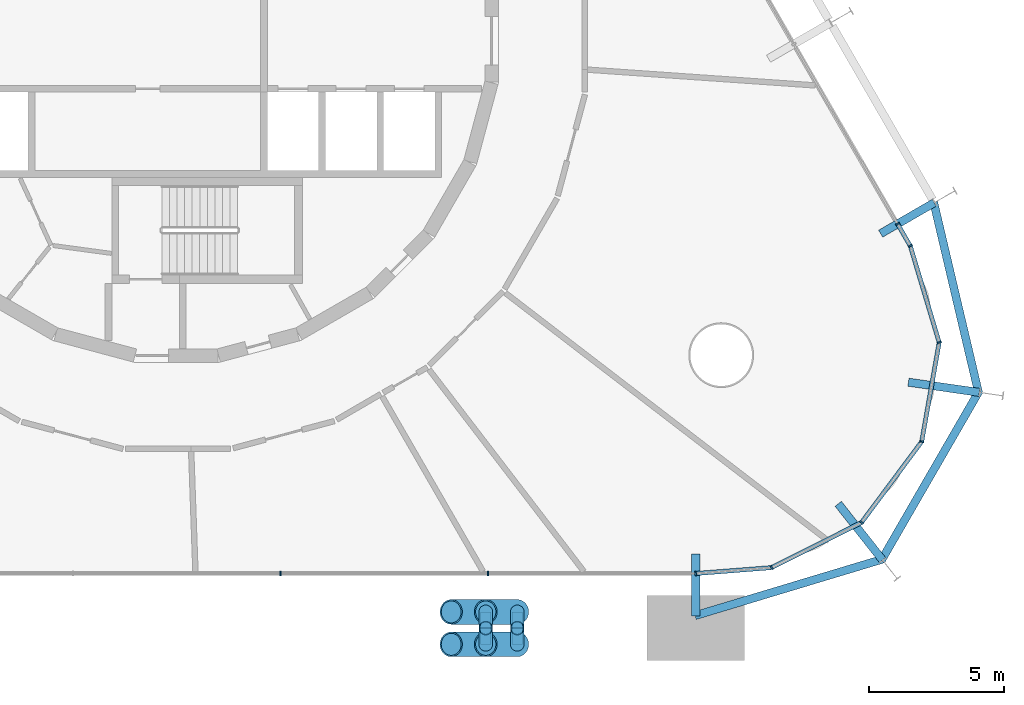
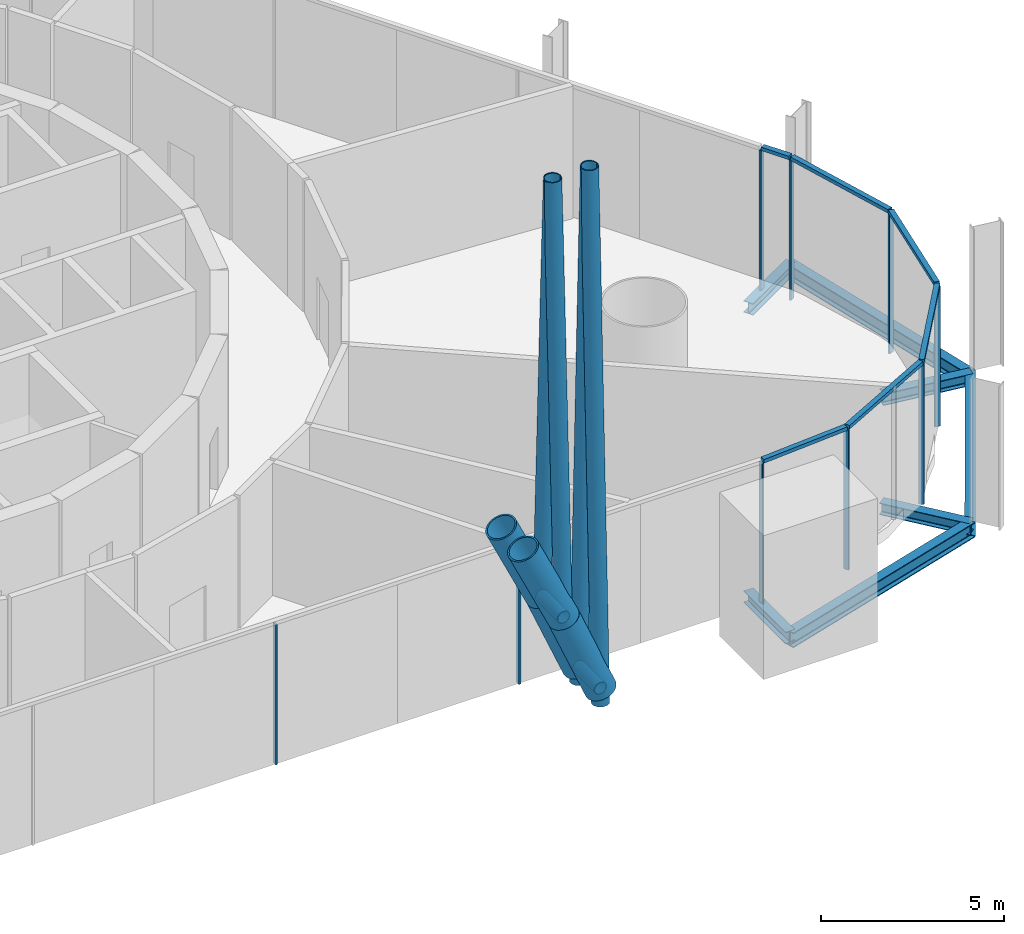
# One storey, part 6 of 17: 25 members, 7 beams, 3 elements without a shape of their own.
"""IFC4 building model written with IfcOpenShell, lengths in metres."""

from ifc_helpers import new_model, si_unit, direction, frame, origin, origin_2d, place, context, subcontext, project, spatial, rectangle, hollow_circle, i_section, extrude, material, layer, layer_set, material_profile, profile_set, type_object, element, aggregate, save


model = new_model("IFC4")

# Units and contexts
model_context = context("Model", 3, precision=1e-05, world=origin(), true_north=direction((0.0, 1.0)))
body_context = subcontext(model_context, "Body", "Model", "MODEL_VIEW")
ifc_project = project(units=[si_unit("LENGTHUNIT", "METRE"), si_unit("AREAUNIT", "SQUARE_METRE"), si_unit("VOLUMEUNIT", "CUBIC_METRE"), si_unit("PLANEANGLEUNIT", "RADIAN"), si_unit("MASSUNIT", "GRAM", prefix="KILO")], contexts=[model_context])

# Site, building, storey
site_placement = place(None, origin())
site = spatial("IfcSite", under=ifc_project, at=site_placement, CompositionType="ELEMENT")
building_placement = place(site_placement, origin())
building = spatial("IfcBuilding", under=site, at=building_placement, Name="Spindle Arch Residences", CompositionType="ELEMENT")
storey_placement = place(building_placement, frame((0.0, 0.0, 13.800048828125)))
storey = spatial("IfcBuildingStorey", under=building, at=storey_placement, Name="L02", CompositionType="ELEMENT", Elevation=13.800048828125)

# Members
ifc_material_1 = material(Name="Steel S355J2, intumescent coating R 240", Category="steel")
ifc_material_profile_1 = material_profile(ifc_material_1, hollow_circle(Radius=0.25390625, WallThickness=0.02490234375, at=origin_2d()), Name="CHS 508x25")
ifc_profile_set_1 = profile_set([ifc_material_profile_1], Name="Steel S355J2, intumescent coating R 240")
member_type_1 = type_object("IfcMemberType", Name="Arch hanger CHS 508x25", PredefinedType="BRACE", material=ifc_profile_set_1)
member_1_placement = place(storey_placement, frame((11.431884765625, -21.72998046875, 17.741943359375), z_axis=(0.0, -0.040575443037, -0.999176477617), x_axis=(1.0, 0.0, 0.0)))
element("IfcMember", 1, at=member_1_placement, inside=storey, type_object=member_type_1, Name="Arch hanger 1.18", PredefinedType="BRACE", context=body_context, shape_type="SweptSolid", body=[
    extrude(hollow_circle(Radius=0.25390625, WallThickness=0.02490234375, at=origin_2d()), origin(), (0.0, 0.0, 1.0), 14.78369140625),
])
member_2_placement = place(storey_placement, frame((12.59765625, -21.72998046875, 17.741943359375), z_axis=(0.0, -0.034164866701, -0.999416210537), x_axis=(1.0, 0.0, 0.0)))
element("IfcMember", 2, at=member_2_placement, inside=storey, type_object=member_type_1, Name="Arch hanger 1.19", PredefinedType="BRACE", context=body_context, shape_type="SweptSolid", body=[
    extrude(hollow_circle(Radius=0.25390625, WallThickness=0.02490234375, at=origin_2d()), origin(), (0.0, 0.0, 1.0), 17.5576171875),
])
member_3_placement = place(storey_placement, frame((11.431884765625, -21.72998046875, 17.741943359375), z_axis=(0.0, 0.040591930054, -0.999175807961), x_axis=(-1.0, 0.0, 0.0)))
element("IfcMember", 3, at=member_3_placement, inside=storey, type_object=member_type_1, Name="Arch hanger 2.18", PredefinedType="BRACE", context=body_context, shape_type="SweptSolid", body=[
    extrude(hollow_circle(Radius=0.25390625, WallThickness=0.02490234375, at=origin_2d()), origin(), (0.0, 0.0, 1.0), 14.78369140625),
])
member_4_placement = place(storey_placement, frame((12.59765625, -21.72998046875, 17.741943359375), z_axis=(0.0, 0.034178755575, -0.999415735651), x_axis=(-1.0, 0.0, 0.0)))
element("IfcMember", 4, at=member_4_placement, inside=storey, type_object=member_type_1, Name="Arch hanger 2.19", PredefinedType="BRACE", context=body_context, shape_type="SweptSolid", body=[
    extrude(hollow_circle(Radius=0.25390625, WallThickness=0.02490234375, at=origin_2d()), origin(), (0.0, 0.0, 1.0), 17.5576171875),
])
ifc_material_2 = material(Name="Steel S355J2, intumescent coating R 240", Category="steel")
ifc_material_profile_2 = material_profile(ifc_material_2, hollow_circle(Radius=0.45703125, WallThickness=0.050048828125, at=origin_2d()), Name="CHS 914x50")
ifc_profile_set_2 = profile_set([ifc_material_profile_2], Name="Steel S355J2, intumescent coating R 240")
member_type_2 = type_object("IfcMemberType", Name="Arch rib CHS 914x50", PredefinedType="MEMBER", material=ifc_profile_set_2)
member_5_placement = place(storey_placement, frame((10.153076171875, -22.329833984375, 6.162841796875), z_axis=(0.423544923401, 0.0, -0.905875100586), x_axis=(0.0, 1.0, 0.0)))
element("IfcMember", 5, at=member_5_placement, inside=storey, type_object=member_type_2, Name="Arch rib 1.18", PredefinedType="MEMBER", context=body_context, shape_type="SweptSolid", body=[
    extrude(hollow_circle(Radius=0.45703125, WallThickness=0.050048828125, at=origin_2d()), origin(), (0.0, 0.0, 1.0), 3.019287109375),
])
member_6_placement = place(storey_placement, frame((11.431884765625, -22.329833984375, 3.427734375), z_axis=(0.387204911916, 0.0, -0.921993685547), x_axis=(0.0, 1.0, 0.0)))
element("IfcMember", 6, at=member_6_placement, inside=storey, type_object=member_type_2, Name="Arch rib 1.19", PredefinedType="MEMBER", context=body_context, shape_type="SweptSolid", body=[
    extrude(hollow_circle(Radius=0.45703125, WallThickness=0.050048828125, at=origin_2d()), origin(), (0.0, 0.0, 1.0), 3.0107421875),
])
member_7_placement = place(storey_placement, frame((10.153076171875, -21.1298828125, 6.162841796875), z_axis=(0.423544923401, 0.0, -0.905875100586), x_axis=(0.0, 1.0, 0.0)))
element("IfcMember", 7, at=member_7_placement, inside=storey, type_object=member_type_2, Name="Arch rib 2.18", PredefinedType="MEMBER", context=body_context, shape_type="SweptSolid", body=[
    extrude(hollow_circle(Radius=0.45703125, WallThickness=0.050048828125, at=origin_2d()), origin(), (0.0, 0.0, 1.0), 3.019287109375),
])
member_8_placement = place(storey_placement, frame((11.431884765625, -21.1298828125, 3.427734375), z_axis=(0.387204911916, 0.0, -0.921993685547), x_axis=(0.0, 1.0, 0.0)))
element("IfcMember", 8, at=member_8_placement, inside=storey, type_object=member_type_2, Name="Arch rib 2.19", PredefinedType="MEMBER", context=body_context, shape_type="SweptSolid", body=[
    extrude(hollow_circle(Radius=0.45703125, WallThickness=0.050048828125, at=origin_2d()), origin(), (0.0, 0.0, 1.0), 3.0107421875),
])
ifc_material_3 = material(Name="Steel S355J2, intumescent coating R 240", Category="steel")
ifc_material_profile_3 = material_profile(ifc_material_3, hollow_circle(Radius=0.203125, WallThickness=0.02001953125, at=origin_2d()), Name="CHS 406.4x20")
ifc_profile_set_3 = profile_set([ifc_material_profile_3], Name="Steel S355J2, intumescent coating R 240")
member_type_3 = type_object("IfcMemberType", Name="Arch tie CHS 406.4x20", PredefinedType="MEMBER", material=ifc_profile_set_3)
for number, where, z_axis, x_axis, name in (
    (9, (11.431884765625, -22.329833984375, 3.427734375), (0.0, 1.0, 0.0), (-1.0, 0.0, 0.0), "Arch tie 18"),
    (10, (12.59765625, -22.329833984375, 0.65185546875), (0.0, 1.0, 0.0), (-1.0, 0.0, 0.0), "Arch tie 19"),
):
    element("IfcMember", number, at=place(storey_placement, frame(where, z_axis=z_axis, x_axis=x_axis)), inside=storey, type_object=member_type_3, Name=name, PredefinedType="MEMBER", context=body_context, shape_type="SweptSolid", body=[
        extrude(hollow_circle(Radius=0.203125, WallThickness=0.02001953125, at=origin_2d()), origin(), (0.0, 0.0, 1.0), 1.199951171875),
    ])

# Curtain wall, members
ifc_material_4 = material(Name="Aluminium bronze unitised frame with tinted glass", Category="aluminium")
ifc_layer_1 = layer(ifc_material_4, 0.159912109375)
ifc_layer_set_1 = layer_set([ifc_layer_1], Name="CW-D corner wall on the fillet arcs")
curtain_wall_type_1 = type_object("IfcCurtainWallType", Name="CW-D corner wall on the fillet arcs", PredefinedType="NOTDEFINED", material=ifc_layer_set_1)
curtain_wall_1_placement = place(storey_placement, origin())
curtain_wall_1 = element("IfcCurtainWall", 11, at=curtain_wall_1_placement, inside=storey, type_object=curtain_wall_type_1, Name="CW-D L02 run 1", PredefinedType="NOTDEFINED")
ifc_material_5 = material(Name="Aluminium bronze anodised mullion", Category="aluminium")
ifc_material_profile_4 = material_profile(ifc_material_5, rectangle(XDim=0.159912109375, YDim=0.06005859375, at=origin_2d()), Name="MU 60x160")
ifc_profile_set_4 = profile_set([ifc_material_profile_4], Name="Aluminium bronze anodised mullion")
member_type_4 = type_object("IfcMemberType", Name="Bronze mullion 60x160", PredefinedType="MULLION", material=ifc_profile_set_4)
member_9_placement = place(storey_placement, frame((19.2001953125, -19.7099609375, -0.380126953125), z_axis=(0.0, 0.0, 1.0), x_axis=(-0.077364085451, 0.997002907861, 0.0)))
member_9 = element("IfcMember", 12, at=member_9_placement, type_object=member_type_4, Name="CW-D mullion 00", PredefinedType="MULLION", context=body_context, shape_type="SweptSolid", body=[
    extrude(rectangle(XDim=0.159912109375, YDim=0.06005859375, at=origin_2d()), origin(), (0.0, 0.0, 1.0), 4.68017578125),
])
member_10_placement = place(storey_placement, frame((22.007080078125, -19.4921875, -0.380126953125), z_axis=(0.0, 0.0, 1.0), x_axis=(-0.448799176213, 0.893632642326, 0.0)))
member_10 = element("IfcMember", 13, at=member_10_placement, type_object=member_type_4, Name="CW-D mullion 01", PredefinedType="MULLION", context=body_context, shape_type="SweptSolid", body=[
    extrude(rectangle(XDim=0.159912109375, YDim=0.06005859375, at=origin_2d()), origin(), (0.0, 0.0, 1.0), 4.68017578125),
])
member_11_placement = place(storey_placement, frame((25.33740234375, -17.819580078125, -0.380126953125), z_axis=(0.0, 0.0, 1.0), x_axis=(-0.802123189687, 0.597158595823, 0.0)))
member_11 = element("IfcMember", 14, at=member_11_placement, type_object=member_type_4, Name="CW-D mullion 02", PredefinedType="MULLION", context=body_context, shape_type="SweptSolid", body=[
    extrude(rectangle(XDim=0.159912109375, YDim=0.06005859375, at=origin_2d()), origin(), (0.0, 0.0, 1.0), 4.68017578125),
])
member_12_placement = place(storey_placement, frame((27.562744140625, -14.830322265625, -0.380126953125), z_axis=(0.0, 0.0, 1.0), x_axis=(-0.984807752421, 0.173648181019, 0.0)))
member_12 = element("IfcMember", 15, at=member_12_placement, type_object=member_type_4, Name="CW-D mullion 03", PredefinedType="MULLION", context=body_context, shape_type="SweptSolid", body=[
    extrude(rectangle(XDim=0.159912109375, YDim=0.06005859375, at=origin_2d()), origin(), (0.0, 0.0, 1.0), 4.68017578125),
])
member_13_placement = place(storey_placement, frame((28.2099609375, -11.16015625, -0.380126953125), z_axis=(0.0, 0.0, 1.0), x_axis=(-0.957989512975, -0.28680323051, 0.0)))
member_13 = element("IfcMember", 16, at=member_13_placement, type_object=member_type_4, Name="CW-D mullion 04", PredefinedType="MULLION", context=body_context, shape_type="SweptSolid", body=[
    extrude(rectangle(XDim=0.159912109375, YDim=0.06005859375, at=origin_2d()), origin(), (0.0, 0.0, 1.0), 4.68017578125),
])
member_14_placement = place(storey_placement, frame((27.14111328125, -7.58984375, -0.380126953125), z_axis=(0.0, 0.0, 1.0), x_axis=(-0.866025403784, -0.5, 0.0)))
member_14 = element("IfcMember", 17, at=member_14_placement, type_object=member_type_4, Name="CW-D mullion 05", PredefinedType="MULLION", context=body_context, shape_type="SweptSolid", body=[
    extrude(rectangle(XDim=0.159912109375, YDim=0.06005859375, at=origin_2d()), origin(), (0.0, 0.0, 1.0), 4.68017578125),
])

# Curtain wall, member
ifc_material_6 = material(Name="Aluminium bronze unitised frame with tinted glass", Category="aluminium")
ifc_layer_2 = layer(ifc_material_6, 0.159912109375)
ifc_layer_set_2 = layer_set([ifc_layer_2], Name="CW-B amenity podium glazed wall")
curtain_wall_type_2 = type_object("IfcCurtainWallType", Name="CW-B amenity podium glazed wall", PredefinedType="NOTDEFINED", material=ifc_layer_set_2)
curtain_wall_2_placement = place(storey_placement, origin())
curtain_wall_2 = element("IfcCurtainWall", 18, at=curtain_wall_2_placement, inside=storey, type_object=curtain_wall_type_2, Name="CW-B L02 run 2", PredefinedType="NOTDEFINED")
member_15_placement = place(storey_placement, frame((26.66943359375, -6.77294921875, -0.380126953125), z_axis=(0.0, 0.0, 1.0), x_axis=(-0.866025403784, -0.5, 0.0)))
member_15 = element("IfcMember", 19, at=member_15_placement, type_object=member_type_4, Name="CW-B mullion 05", PredefinedType="MULLION", context=body_context, shape_type="SweptSolid", body=[
    extrude(rectangle(XDim=0.159912109375, YDim=0.06005859375, at=origin_2d()), origin(), (0.0, 0.0, 1.0), 4.68017578125),
])
aggregate(curtain_wall_2, [member_15])

# Curtain wall, members
curtain_wall_3_placement = place(storey_placement, origin())
curtain_wall_3 = element("IfcCurtainWall", 20, at=curtain_wall_3_placement, inside=storey, type_object=curtain_wall_type_2, Name="CW-B L02 run 6", PredefinedType="NOTDEFINED")
member_16_placement = place(storey_placement, frame((3.840087890625, -19.7099609375, -0.380126953125), z_axis=(0.0, 0.0, 1.0), x_axis=(0.0, 1.0, 0.0)))
member_16 = element("IfcMember", 21, at=member_16_placement, type_object=member_type_4, Name="CW-B mullion 00", PredefinedType="MULLION", context=body_context, shape_type="SweptSolid", body=[
    extrude(rectangle(XDim=0.159912109375, YDim=0.06005859375, at=origin_2d()), origin(), (0.0, 0.0, 1.0), 4.68017578125),
])
member_17_placement = place(storey_placement, frame((11.52001953125, -19.7099609375, -0.380126953125), z_axis=(0.0, 0.0, 1.0), x_axis=(0.0, 1.0, 0.0)))
member_17 = element("IfcMember", 22, at=member_17_placement, type_object=member_type_4, Name="CW-B mullion 01", PredefinedType="MULLION", context=body_context, shape_type="SweptSolid", body=[
    extrude(rectangle(XDim=0.159912109375, YDim=0.06005859375, at=origin_2d()), origin(), (0.0, 0.0, 1.0), 4.68017578125),
])
aggregate(curtain_wall_3, [member_16, member_17])

# Member
ifc_material_7 = material(Name="Aluminium bronze anodised transom", Category="aluminium")
ifc_material_profile_5 = material_profile(ifc_material_7, rectangle(XDim=0.159912109375, YDim=0.1201171875, at=origin_2d()), Name="TR 120x160")
ifc_profile_set_5 = profile_set([ifc_material_profile_5], Name="Aluminium bronze anodised transom")
member_type_5 = type_object("IfcMemberType", Name="Bronze transom 120x160", PredefinedType="USERDEFINED", material=ifc_profile_set_5)
member_18_placement = place(storey_placement, frame((19.22998046875, -19.70751953125, 4.35986328125), z_axis=(0.997003710875, 0.077353736189, 0.0), x_axis=(-0.077353736189, 0.997003710875, 0.0)))
member_18 = element("IfcMember", 23, at=member_18_placement, type_object=member_type_5, Name="CW-D transom 00", ObjectType="TRANSOM", PredefinedType="USERDEFINED", context=body_context, shape_type="SweptSolid", body=[
    extrude(rectangle(XDim=0.159912109375, YDim=0.1201171875, at=origin_2d()), origin(), (0.0, 0.0, 1.0), 2.75537109375),
])

member_19_placement = place(storey_placement, frame((22.03369140625, -19.478759765625, 4.35986328125), z_axis=(0.893626812559, 0.448810784046, 0.0), x_axis=(-0.448810784046, 0.893626812559, 0.0)))
member_19 = element("IfcMember", 24, at=member_19_placement, type_object=member_type_5, Name="CW-D transom 01", ObjectType="TRANSOM", PredefinedType="USERDEFINED", context=body_context, shape_type="SweptSolid", body=[
    extrude(rectangle(XDim=0.159912109375, YDim=0.1201171875, at=origin_2d()), origin(), (0.0, 0.0, 1.0), 3.6669921875),
])

member_20_placement = place(storey_placement, frame((25.355224609375, -17.79541015625, 4.35986328125), z_axis=(0.597173190998, 0.802112323776, 0.0), x_axis=(-0.802112323776, 0.597173190998, 0.0)))
member_20 = element("IfcMember", 25, at=member_20_placement, type_object=member_type_5, Name="CW-D transom 02", ObjectType="TRANSOM", PredefinedType="USERDEFINED", context=body_context, shape_type="SweptSolid", body=[
    extrude(rectangle(XDim=0.159912109375, YDim=0.1201171875, at=origin_2d()), origin(), (0.0, 0.0, 1.0), 3.666748046875),
])

member_21_placement = place(storey_placement, frame((27.56787109375, -14.80078125, 4.35986328125), z_axis=(0.173709368694, 0.984796961423, 0.0), x_axis=(-0.984796961423, 0.173709368694, 0.0)))
member_21 = element("IfcMember", 26, at=member_21_placement, type_object=member_type_5, Name="CW-D transom 03", ObjectType="TRANSOM", PredefinedType="USERDEFINED", context=body_context, shape_type="SweptSolid", body=[
    extrude(rectangle(XDim=0.159912109375, YDim=0.1201171875, at=origin_2d()), origin(), (0.0, 0.0, 1.0), 3.666748046875),
])

member_22_placement = place(storey_placement, frame((28.201416015625, -11.13134765625, 4.35986328125), z_axis=(-0.286834736274, 0.957980080203, 0.0), x_axis=(-0.957980080203, -0.286834736274, 0.0)))
member_22 = element("IfcMember", 27, at=member_22_placement, type_object=member_type_5, Name="CW-D transom 04", ObjectType="TRANSOM", PredefinedType="USERDEFINED", context=body_context, shape_type="SweptSolid", body=[
    extrude(rectangle(XDim=0.159912109375, YDim=0.1201171875, at=origin_2d()), origin(), (0.0, 0.0, 1.0), 3.666748046875),
])

member_23_placement = place(storey_placement, frame((27.1259765625, -7.56396484375, 4.35986328125), z_axis=(-0.499913830031, 0.866075148324, 0.0), x_axis=(-0.866075148324, -0.499913830031, 0.0)))
member_23 = element("IfcMember", 28, at=member_23_placement, type_object=member_type_5, Name="CW-D transom 05", ObjectType="TRANSOM", PredefinedType="USERDEFINED", context=body_context, shape_type="SweptSolid", body=[
    extrude(rectangle(XDim=0.159912109375, YDim=0.1201171875, at=origin_2d()), origin(), (0.0, 0.0, 1.0), 0.883544921875),
])

aggregate(curtain_wall_1, [member_9, member_18, member_10, member_19, member_11, member_20, member_12, member_21, member_13, member_22, member_14, member_23])

# Beams
ifc_material_8 = material(Name="Steel S460ML, intumescent coating R 120", Category="steel")
ifc_material_profile_6 = material_profile(ifc_material_8, i_section(OverallWidth=0.300048828125, OverallDepth=0.5, WebThickness=0.014404296875, FlangeThickness=0.028076171875, FilletRadius=0.027099609375, at=origin_2d()), Name="HEB 500")
ifc_profile_set_6 = profile_set([ifc_material_profile_6], Name="Steel S460ML, intumescent coating R 120")
beam_type_1 = type_object("IfcBeamType", Name="Exoskeleton edge beam HEB 500", PredefinedType="BEAM", material=ifc_profile_set_6)
beam_1_placement = place(storey_placement, frame((19.177490234375, -21.26708984375, -0.630126953125), z_axis=(0.957564526429, 0.288218975303, 0.0), x_axis=(-0.288218975303, 0.957564526429, 0.0)))
element("IfcBeam", 29, at=beam_1_placement, inside=storey, type_object=beam_type_1, Name="Exoskeleton edge beam 3", PredefinedType="BEAM", context=body_context, shape_type="SweptSolid", body=[
    extrude(i_section(OverallWidth=0.300048828125, OverallDepth=0.5, WebThickness=0.014404296875, FlangeThickness=0.028076171875, FilletRadius=0.027099609375, at=origin_2d()), origin(), (0.0, 0.0, 1.0), 7.25),
])
beam_2_placement = place(storey_placement, frame((26.06689453125, -19.227783203125, -0.630126953125), z_axis=(0.500025200273, 0.866010853911, 0.0), x_axis=(-0.866010853911, 0.500025200273, 0.0)))
element("IfcBeam", 30, at=beam_2_placement, inside=storey, type_object=beam_type_1, Name="Exoskeleton edge beam 4", PredefinedType="BEAM", context=body_context, shape_type="SweptSolid", body=[
    extrude(i_section(OverallWidth=0.300048828125, OverallDepth=0.5, WebThickness=0.014404296875, FlangeThickness=0.028076171875, FilletRadius=0.027099609375, at=origin_2d()), origin(), (0.0, 0.0, 1.0), 7.236572265625),
])
beam_3_placement = place(storey_placement, frame((29.668212890625, -13.03173828125, -0.630126953125), z_axis=(-0.229185730541, 0.973382710406, 0.0), x_axis=(-0.973382710406, -0.229185730541, 0.0)))
element("IfcBeam", 31, at=beam_3_placement, inside=storey, type_object=beam_type_1, Name="Exoskeleton edge beam 5", PredefinedType="BEAM", context=body_context, shape_type="SweptSolid", body=[
    extrude(i_section(OverallWidth=0.300048828125, OverallDepth=0.5, WebThickness=0.014404296875, FlangeThickness=0.028076171875, FilletRadius=0.027099609375, at=origin_2d()), origin(), (0.0, 0.0, 1.0), 7.25),
])
ifc_material_9 = material(Name="Steel S460ML, intumescent coating R 120", Category="steel")
ifc_material_profile_7 = material_profile(ifc_material_9, i_section(OverallWidth=0.300048828125, OverallDepth=0.389892578125, WebThickness=0.010986328125, FlangeThickness=0.01904296875, FilletRadius=0.027099609375, at=origin_2d()), Name="HEA 400")
ifc_profile_set_7 = profile_set([ifc_material_profile_7], Name="Steel S460ML, intumescent coating R 120")
beam_type_2 = type_object("IfcBeamType", Name="Floor outrigger HEA 400", PredefinedType="BEAM", material=ifc_profile_set_7)
beam_4_placement = place(storey_placement, frame((19.2001953125, -21.27978515625, -0.574951171875), z_axis=(0.0, 1.0, 0.0), x_axis=(-1.0, 0.0, 0.0)))
element("IfcBeam", 32, at=beam_4_placement, inside=storey, type_object=beam_type_2, Name="Floor outrigger 3", PredefinedType="BEAM", context=body_context, shape_type="SweptSolid", body=[
    extrude(i_section(OverallWidth=0.300048828125, OverallDepth=0.389892578125, WebThickness=0.010986328125, FlangeThickness=0.01904296875, FilletRadius=0.027099609375, at=origin_2d()), origin(), (0.0, 0.0, 1.0), 2.2939453125),
])
for number, where, z_axis, x_axis, name in (
    (33, (26.11328125, -19.211669921875, -0.574951171875), (-0.618586231558, 0.785716917297, 0.0), (-0.785716917297, -0.618586231558, 0.0), "Floor outrigger 4"),
    (34, (29.694580078125, -13.009033203125, -0.574951171875), (-0.989738348309, 0.142891573883, 0.0), (-0.142891573883, -0.989738348309, 0.0), "Floor outrigger 5"),
):
    element("IfcBeam", number, at=place(storey_placement, frame(where, z_axis=z_axis, x_axis=x_axis)), inside=storey, type_object=beam_type_2, Name=name, PredefinedType="BEAM", context=body_context, shape_type="SweptSolid", body=[
        extrude(i_section(OverallWidth=0.300048828125, OverallDepth=0.389892578125, WebThickness=0.010986328125, FlangeThickness=0.01904296875, FilletRadius=0.027099609375, at=origin_2d()), origin(), (0.0, 0.0, 1.0), 2.64990234375),
    ])
beam_5_placement = place(storey_placement, frame((28.029052734375, -5.98779296875, -0.574951171875), z_axis=(-0.866001280077, -0.50004178116, 0.0), x_axis=(0.50004178116, -0.866001280077, 0.0)))
element("IfcBeam", 35, at=beam_5_placement, inside=storey, type_object=beam_type_2, Name="Floor outrigger 6", PredefinedType="BEAM", context=body_context, shape_type="SweptSolid", body=[
    extrude(i_section(OverallWidth=0.300048828125, OverallDepth=0.389892578125, WebThickness=0.010986328125, FlangeThickness=0.01904296875, FilletRadius=0.027099609375, at=origin_2d()), origin(), (0.0, 0.0, 1.0), 2.294189453125),
])

save(model, "model.ifc")
